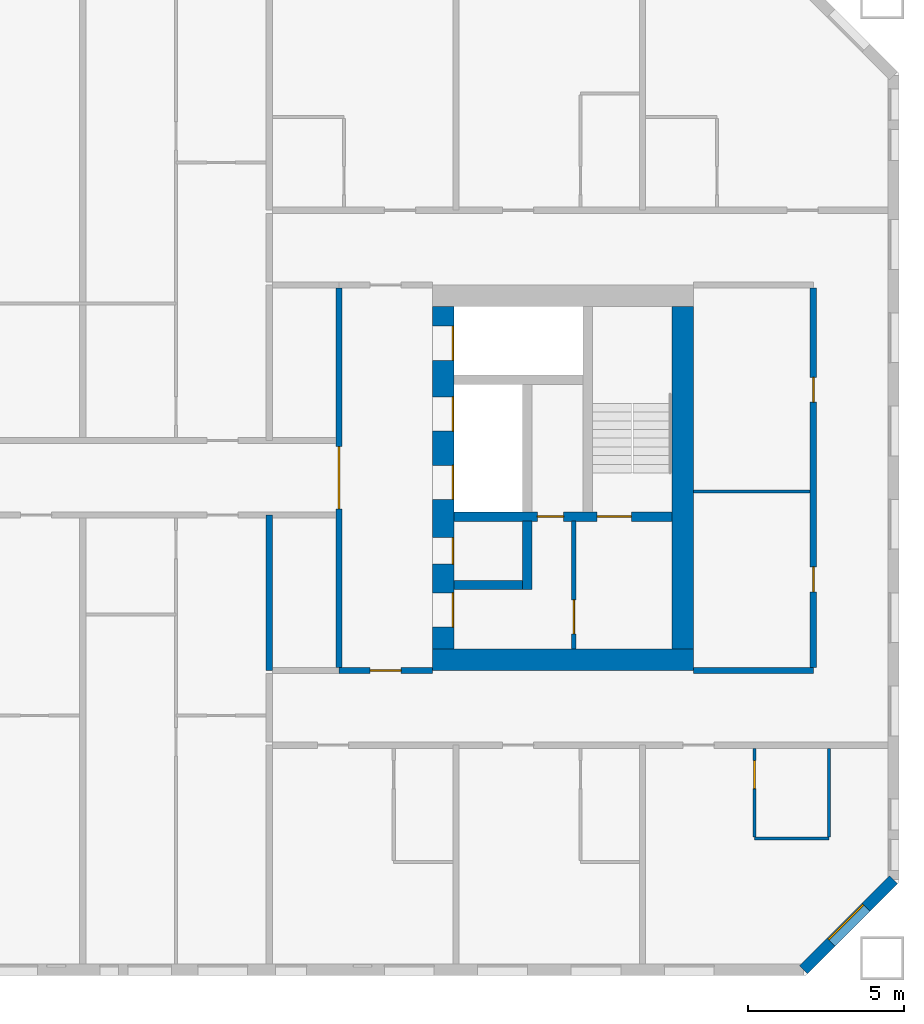
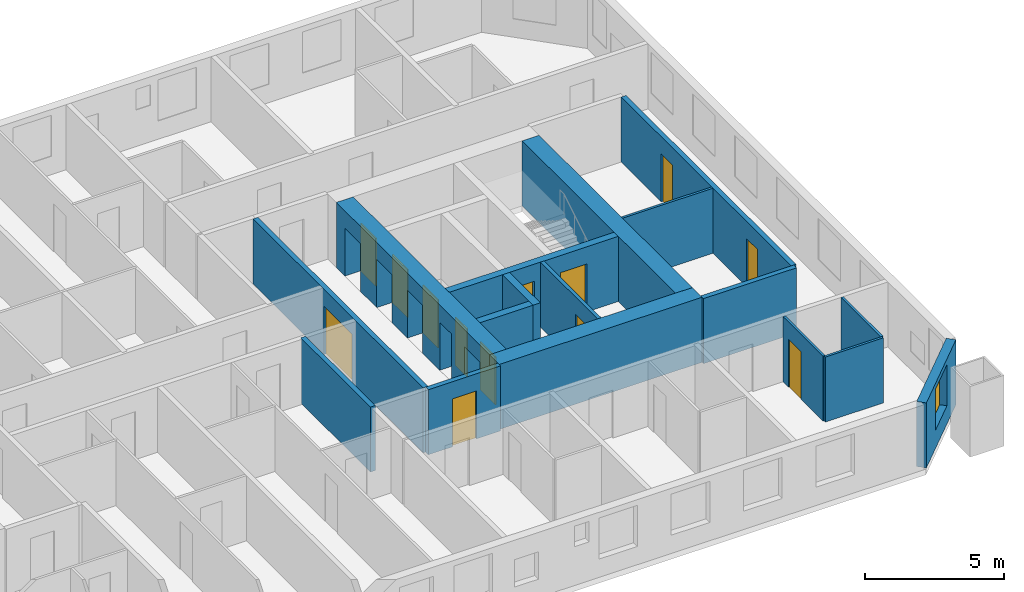
# One storey, part 12 of 17: 17 walls, 13 doors, 1 window, 14 openings.
"""IFC4 building model written with IfcOpenShell, lengths in metres."""

from ifc_helpers import new_model, si_unit, direction, frame, frame_2d, origin, place, context, subcontext, project, spatial, rectangle, extrude, material, layer, layer_set, type_object, element, fill, save


model = new_model("IFC4")

# Units and contexts
model_context = context("Model", 3, precision=1e-05, world=origin(), true_north=direction((0.0, 1.0)))
body_context = subcontext(model_context, "Body", "Model", "MODEL_VIEW")
ifc_project = project(units=[si_unit("LENGTHUNIT", "METRE"), si_unit("AREAUNIT", "SQUARE_METRE"), si_unit("VOLUMEUNIT", "CUBIC_METRE"), si_unit("PLANEANGLEUNIT", "RADIAN"), si_unit("MASSUNIT", "GRAM", prefix="KILO")], contexts=[model_context])

# Site, building, storey
site_placement = place(None, origin())
site = spatial("IfcSite", under=ifc_project, at=site_placement, CompositionType="ELEMENT")
building_placement = place(site_placement, origin())
building = spatial("IfcBuilding", under=site, at=building_placement, Name="Tuart Gate Housing", CompositionType="ELEMENT")
storey_placement = place(building_placement, frame((0.0, 0.0, 84.0)))
storey = spatial("IfcBuildingStorey", under=building, at=storey_placement, Name="L23", CompositionType="ELEMENT", Elevation=84.0)

# Wall, opening, window
ifc_material_1 = material(Name="Brick", Category="masonry")
ifc_layer_1 = layer(ifc_material_1, 0.360107421875)
ifc_layer_set_1 = layer_set([ifc_layer_1], Name="Brick pier and spandrel wall 360")
wall_type_1 = type_object("IfcWallType", Name="Brick pier and spandrel wall 360", PredefinedType="STANDARD", material=ifc_layer_set_1)
wall_1_placement = place(storey_placement, frame((172.17529296875, 54.179931640625, 0.0), z_axis=(0.0, 0.0, 1.0), x_axis=(0.707106781187, 0.707106781187, 0.0)))
wall_1 = element("IfcWall", 1, at=wall_1_placement, inside=storey, type_object=wall_type_1, Name="External wall B-SE L23", PredefinedType="STANDARD", context=body_context, shape_type="SweptSolid", body=[
    extrude(rectangle(XDim=4.09375, YDim=0.360107421875, at=frame_2d((2.046875, 0.0))), origin(), (0.0, 0.0, 1.0), 2.85009765625),
])
opening_1_placement = place(wall_1_placement, frame((1.2470703125, 0.0, 0.800048828125)))
opening_1 = element("IfcOpeningElement", 2, at=opening_1_placement, cuts=wall_1, Name="Opening W1", PredefinedType="OPENING", context=body_context, shape_type="SweptSolid", body=[
    extrude(rectangle(XDim=1.60009765625, YDim=1.800048828125, at=frame_2d((0.800048828125, 0.89990234375))), frame((0.0, 0.18994140625, 0.0), z_axis=(0.0, -1.0, 0.0), x_axis=(1.0, 0.0, 0.0)), (0.0, 0.0, 1.0), 0.380126953125),
])
ifc_material_2 = material(Name="Aluminium frame with clear glass", Category="aluminium")
window_type = type_object("IfcWindowType", Name="Punched window 1600 x 1800", PartitioningType="SINGLE_PANEL", PredefinedType="WINDOW", material=ifc_material_2)
window_placement = place(opening_1_placement, origin())
window = element("IfcWindow", 3, at=window_placement, inside=storey, type_object=window_type, Name="Window W1", OverallHeight=1.800048828125, OverallWidth=1.60009765625, PartitioningType="SINGLE_PANEL", PredefinedType="WINDOW", context=body_context, shape_type="SweptSolid", body=[
    extrude(rectangle(XDim=1.60009765625, YDim=1.800048828125, at=frame_2d((0.800048828125, 0.89990234375))), frame((0.0, 0.150146484375, 0.0), z_axis=(0.0, -1.0, 0.0), x_axis=(1.0, 0.0, 0.0)), (0.0, 0.0, 1.0), 0.06005859375),
])
fill(opening_1, window)

# Wall, opening, door
ifc_material_3 = material(Name="Plasterboard partition")
ifc_layer_2 = layer(ifc_material_3, 0.14990234375)
ifc_layer_set_2 = layer_set([ifc_layer_2], Name="Core partition 150")
wall_type_2 = type_object("IfcWallType", Name="Core partition 150", PredefinedType="PARTITIONING", material=ifc_layer_set_2)
wall_2_placement = place(storey_placement, frame((164.7900390625, 68.60009765625, 0.0), z_axis=(0.0, 0.0, 1.0), x_axis=(0.0, -1.0, 0.0)))
wall_2 = element("IfcWall", 4, at=wall_2_placement, inside=storey, type_object=wall_type_2, Name="Core partition BK.6", PredefinedType="PARTITIONING", context=body_context, shape_type="SweptSolid", body=[
    extrude(rectangle(XDim=4.10009765625, YDim=0.14990234375, at=frame_2d((2.050048828125, 0.0))), origin(), (0.0, 0.0, 1.0), 2.85009765625),
])
opening_2_placement = place(wall_2_placement, frame((2.52490234375, 0.0, 0.0)))
opening_2 = element("IfcOpeningElement", 5, at=opening_2_placement, cuts=wall_2, Name="Opening D1047", PredefinedType="OPENING", context=body_context, shape_type="SweptSolid", body=[
    extrude(rectangle(XDim=1.10009765625, YDim=2.10009765625, at=frame_2d((0.550048828125, 1.050048828125))), frame((0.0, 0.0849609375, 0.0), z_axis=(0.0, -1.0, 0.0), x_axis=(1.0, 0.0, 0.0)), (0.0, 0.0, 1.0), 0.169921875),
])
ifc_material_4 = material(Name="Steel fire door", Category="steel")
door_type_1 = type_object("IfcDoorType", Name="Lobby door 1100 x 2100 RH", OperationType="SINGLE_SWING_RIGHT", PredefinedType="DOOR", material=ifc_material_4)
door_1_placement = place(opening_2_placement, origin())
door_1 = element("IfcDoor", 6, at=door_1_placement, inside=storey, type_object=door_type_1, Name="Smoke lobby door BK.KD", OperationType="SINGLE_SWING_RIGHT", OverallHeight=2.10009765625, OverallWidth=1.10009765625, PredefinedType="DOOR", context=body_context, shape_type="SweptSolid", body=[
    extrude(rectangle(XDim=1.10009765625, YDim=2.10009765625, at=frame_2d((0.550048828125, 1.050048828125))), frame((0.0, 0.02490234375, 0.0), z_axis=(0.0, -1.0, 0.0), x_axis=(1.0, 0.0, 0.0)), (0.0, 0.0, 1.0), 0.050048828125),
])
fill(opening_2, door_1)

# Wall, openings, doors
ifc_material_5 = material(Name="Concrete C50", Category="concrete")
ifc_layer_3 = layer(ifc_material_5, 0.300048828125)
ifc_layer_set_3 = layer_set([ifc_layer_3], Name="Core wall 300 C50")
wall_type_3 = type_object("IfcWallType", Name="Core wall 300 C50", PredefinedType="SHEAR", material=ifc_layer_set_3)
wall_3_placement = place(storey_placement, frame((160.93994140625, 68.75, 0.0), z_axis=(0.0, 0.0, 1.0), x_axis=(1.0, 0.0, 0.0)))
wall_3 = element("IfcWall", 7, at=wall_3_placement, inside=storey, type_object=wall_type_3, Name="Core wall BK.2", PredefinedType="SHEAR", context=body_context, shape_type="SweptSolid", body=[
    extrude(rectangle(XDim=7.0, YDim=0.300048828125, at=frame_2d((3.5, 0.0))), origin(), (0.0, 0.0, 1.0), 2.85009765625),
])
opening_3_placement = place(wall_3_placement, frame((4.60009765625, 0.0, 0.0)))
opening_3 = element("IfcOpeningElement", 8, at=opening_3_placement, cuts=wall_3, Name="Opening D1046", PredefinedType="OPENING", context=body_context, shape_type="SweptSolid", body=[
    extrude(rectangle(XDim=1.10009765625, YDim=2.10009765625, at=frame_2d((0.550048828125, 1.050048828125))), frame((0.0, 0.159912109375, 0.0), z_axis=(0.0, -1.0, 0.0), x_axis=(1.0, 0.0, 0.0)), (0.0, 0.0, 1.0), 0.320068359375),
])
opening_4_placement = place(wall_3_placement, frame((2.675048828125, 0.0, 0.0)))
opening_4 = element("IfcOpeningElement", 9, at=opening_4_placement, cuts=wall_3, Name="Opening D1045", PredefinedType="OPENING", context=body_context, shape_type="SweptSolid", body=[
    extrude(rectangle(XDim=0.85009765625, YDim=2.10009765625, at=frame_2d((0.425048828125, 1.050048828125))), frame((0.0, 0.159912109375, 0.0), z_axis=(0.0, -1.0, 0.0), x_axis=(1.0, 0.0, 0.0)), (0.0, 0.0, 1.0), 0.320068359375),
])
ifc_material_6 = material(Name="Steel fire door", Category="steel")
door_type_2 = type_object("IfcDoorType", Name="Riser door 850 x 2100", OperationType="SINGLE_SWING_LEFT", PredefinedType="DOOR", material=ifc_material_6)
door_2_placement = place(opening_4_placement, origin())
door_2 = element("IfcDoor", 10, at=door_2_placement, inside=storey, type_object=door_type_2, Name="Service room door BK.W1", OperationType="SINGLE_SWING_LEFT", OverallHeight=2.10009765625, OverallWidth=0.85009765625, PredefinedType="DOOR", context=body_context, shape_type="SweptSolid", body=[
    extrude(rectangle(XDim=0.85009765625, YDim=2.10009765625, at=frame_2d((0.425048828125, 1.050048828125))), frame((0.0, 0.02490234375, 0.0), z_axis=(0.0, -1.0, 0.0), x_axis=(1.0, 0.0, 0.0)), (0.0, 0.0, 1.0), 0.050048828125),
])
fill(opening_4, door_2)
ifc_material_7 = material(Name="Steel fire door", Category="steel")
door_type_3 = type_object("IfcDoorType", Name="Stair door 1100 x 2100", OperationType="SINGLE_SWING_LEFT", PredefinedType="DOOR", material=ifc_material_7)
door_3_placement = place(opening_3_placement, origin())
door_3 = element("IfcDoor", 11, at=door_3_placement, inside=storey, type_object=door_type_3, Name="Stair door BK.SD", OperationType="SINGLE_SWING_LEFT", OverallHeight=2.10009765625, OverallWidth=1.10009765625, PredefinedType="DOOR", context=body_context, shape_type="SweptSolid", body=[
    extrude(rectangle(XDim=1.10009765625, YDim=2.10009765625, at=frame_2d((0.550048828125, 1.050048828125))), frame((0.0, 0.02490234375, 0.0), z_axis=(0.0, -1.0, 0.0), x_axis=(1.0, 0.0, 0.0)), (0.0, 0.0, 1.0), 0.050048828125),
])
fill(opening_3, door_3)

# Walls
wall_4_placement = place(storey_placement, frame((160.93994140625, 66.550048828125, 0.0), z_axis=(0.0, 0.0, 1.0), x_axis=(1.0, 0.0, 0.0)))
element("IfcWall", 12, at=wall_4_placement, inside=storey, type_object=wall_type_3, Name="Core wall BK.3", PredefinedType="SHEAR", context=body_context, shape_type="SweptSolid", body=[
    extrude(rectangle(XDim=2.199951171875, YDim=0.300048828125, at=frame_2d((1.10009765625, 0.0))), origin(), (0.0, 0.0, 1.0), 2.85009765625),
])
wall_5_placement = place(storey_placement, frame((163.2900390625, 68.60009765625, 0.0), z_axis=(0.0, 0.0, 1.0), x_axis=(0.0, -1.0, 0.0)))
element("IfcWall", 13, at=wall_5_placement, inside=storey, type_object=wall_type_3, Name="Core wall BK.5", PredefinedType="SHEAR", context=body_context, shape_type="SweptSolid", body=[
    extrude(rectangle(XDim=2.2001953125, YDim=0.300048828125, at=frame_2d((1.10009765625, 0.0))), origin(), (0.0, 0.0, 1.0), 2.85009765625),
])

# Wall, openings, doors
ifc_material_8 = material(Name="Concrete C50", Category="concrete")
ifc_layer_4 = layer(ifc_material_8, 0.699951171875)
ifc_layer_set_4 = layer_set([ifc_layer_4], Name="Core wall 700 C50")
wall_type_4 = type_object("IfcWallType", Name="Core wall 700 C50", PredefinedType="SHEAR", material=ifc_layer_set_4)
wall_6_placement = place(storey_placement, frame((160.590087890625, 75.5, 0.0), z_axis=(0.0, 0.0, 1.0), x_axis=(0.0, -1.0, 0.0)))
wall_6 = element("IfcWall", 14, at=wall_6_placement, inside=storey, type_object=wall_type_4, Name="Core wall BK front", PredefinedType="SHEAR", context=body_context, shape_type="SweptSolid", body=[
    extrude(rectangle(XDim=11.0, YDim=0.699951171875, at=frame_2d((5.5, 0.0))), origin(), (0.0, 0.0, 1.0), 2.85009765625),
])
opening_5_placement = place(wall_6_placement, frame((0.625, 0.0, 0.0)))
opening_5 = element("IfcOpeningElement", 15, at=opening_5_placement, cuts=wall_6, Name="Opening LD-FB2", PredefinedType="OPENING", context=body_context, shape_type="SweptSolid", body=[
    extrude(rectangle(XDim=1.10009765625, YDim=2.10009765625, at=frame_2d((0.550048828125, 1.050048828125))), frame((0.0, 0.35986328125, 0.0), z_axis=(0.0, -1.0, 0.0), x_axis=(1.0, 0.0, 0.0)), (0.0, 0.0, 1.0), 0.719970703125),
])
opening_6_placement = place(wall_6_placement, frame((2.89990234375, 0.0, 0.0)))
opening_6 = element("IfcOpeningElement", 16, at=opening_6_placement, cuts=wall_6, Name="Opening LD-LB3", PredefinedType="OPENING", context=body_context, shape_type="SweptSolid", body=[
    extrude(rectangle(XDim=1.10009765625, YDim=2.10009765625, at=frame_2d((0.550048828125, 1.050048828125))), frame((0.0, 0.35986328125, 0.0), z_axis=(0.0, -1.0, 0.0), x_axis=(1.0, 0.0, 0.0)), (0.0, 0.0, 1.0), 0.719970703125),
])
opening_7_placement = place(wall_6_placement, frame((5.10009765625, 0.0, 0.0)))
opening_7 = element("IfcOpeningElement", 17, at=opening_7_placement, cuts=wall_6, Name="Opening LD-LB4", PredefinedType="OPENING", context=body_context, shape_type="SweptSolid", body=[
    extrude(rectangle(XDim=1.10009765625, YDim=2.10009765625, at=frame_2d((0.550048828125, 1.050048828125))), frame((0.0, 0.35986328125, 0.0), z_axis=(0.0, -1.0, 0.0), x_axis=(1.0, 0.0, 0.0)), (0.0, 0.0, 1.0), 0.719970703125),
])
opening_8_placement = place(wall_6_placement, frame((9.199951171875, 0.0, 0.0)))
opening_8 = element("IfcOpeningElement", 18, at=opening_8_placement, cuts=wall_6, Name="Opening D1039", PredefinedType="OPENING", context=body_context, shape_type="SweptSolid", body=[
    extrude(rectangle(XDim=1.10009765625, YDim=2.10009765625, at=frame_2d((0.550048828125, 1.050048828125))), frame((0.0, 0.35986328125, 0.0), z_axis=(0.0, -1.0, 0.0), x_axis=(1.0, 0.0, 0.0)), (0.0, 0.0, 1.0), 0.719970703125),
])
opening_9_placement = place(wall_6_placement, frame((7.425048828125, 0.0, 0.0)))
opening_9 = element("IfcOpeningElement", 19, at=opening_9_placement, cuts=wall_6, Name="Opening D1040", PredefinedType="OPENING", context=body_context, shape_type="SweptSolid", body=[
    extrude(rectangle(XDim=0.85009765625, YDim=2.10009765625, at=frame_2d((0.425048828125, 1.050048828125))), frame((0.0, 0.35986328125, 0.0), z_axis=(0.0, -1.0, 0.0), x_axis=(1.0, 0.0, 0.0)), (0.0, 0.0, 1.0), 0.719970703125),
])
ifc_material_9 = material(Name="Stainless steel", Category="steel")
door_type_4 = type_object("IfcDoorType", Name="Landing door 1100 x 2100", OperationType="DOUBLE_DOOR_SLIDING", PredefinedType="DOOR", material=ifc_material_9)
door_4_placement = place(opening_5_placement, origin())
door_4 = element("IfcDoor", 20, at=door_4_placement, inside=storey, type_object=door_type_4, Name="Lift landing door FB2", OperationType="DOUBLE_DOOR_SLIDING", OverallHeight=2.10009765625, OverallWidth=1.10009765625, PredefinedType="DOOR", context=body_context, shape_type="SweptSolid", body=[
    extrude(rectangle(XDim=1.10009765625, YDim=2.10009765625, at=frame_2d((0.550048828125, 1.050048828125))), frame((0.0, 0.3349609375, 0.0), z_axis=(0.0, -1.0, 0.0), x_axis=(1.0, 0.0, 0.0)), (0.0, 0.0, 1.0), 0.050048828125),
])
fill(opening_5, door_4)
door_5_placement = place(opening_6_placement, origin())
door_5 = element("IfcDoor", 21, at=door_5_placement, inside=storey, type_object=door_type_4, Name="Lift landing door LB3", OperationType="DOUBLE_DOOR_SLIDING", OverallHeight=2.10009765625, OverallWidth=1.10009765625, PredefinedType="DOOR", context=body_context, shape_type="SweptSolid", body=[
    extrude(rectangle(XDim=1.10009765625, YDim=2.10009765625, at=frame_2d((0.550048828125, 1.050048828125))), frame((0.0, 0.3349609375, 0.0), z_axis=(0.0, -1.0, 0.0), x_axis=(1.0, 0.0, 0.0)), (0.0, 0.0, 1.0), 0.050048828125),
])
fill(opening_6, door_5)
door_6_placement = place(opening_7_placement, origin())
door_6 = element("IfcDoor", 22, at=door_6_placement, inside=storey, type_object=door_type_4, Name="Lift landing door LB4", OperationType="DOUBLE_DOOR_SLIDING", OverallHeight=2.10009765625, OverallWidth=1.10009765625, PredefinedType="DOOR", context=body_context, shape_type="SweptSolid", body=[
    extrude(rectangle(XDim=1.10009765625, YDim=2.10009765625, at=frame_2d((0.550048828125, 1.050048828125))), frame((0.0, 0.3349609375, 0.0), z_axis=(0.0, -1.0, 0.0), x_axis=(1.0, 0.0, 0.0)), (0.0, 0.0, 1.0), 0.050048828125),
])
fill(opening_7, door_6)
ifc_material_10 = material(Name="Steel fire door", Category="steel")
door_type_5 = type_object("IfcDoorType", Name="Lobby door 1100 x 2100", OperationType="SINGLE_SWING_LEFT", PredefinedType="DOOR", material=ifc_material_10)
door_7_placement = place(opening_8_placement, origin())
door_7 = element("IfcDoor", 23, at=door_7_placement, inside=storey, type_object=door_type_5, Name="Lobby entry door BK.EN", OperationType="SINGLE_SWING_LEFT", OverallHeight=2.10009765625, OverallWidth=1.10009765625, PredefinedType="DOOR", context=body_context, shape_type="SweptSolid", body=[
    extrude(rectangle(XDim=1.10009765625, YDim=2.10009765625, at=frame_2d((0.550048828125, 1.050048828125))), frame((0.0, 0.3349609375, 0.0), z_axis=(0.0, -1.0, 0.0), x_axis=(1.0, 0.0, 0.0)), (0.0, 0.0, 1.0), 0.050048828125),
])
fill(opening_8, door_7)
ifc_material_11 = material(Name="Steel fire door", Category="steel")
door_type_6 = type_object("IfcDoorType", Name="Service door 850 x 2100", OperationType="SINGLE_SWING_LEFT", PredefinedType="DOOR", material=ifc_material_11)
door_8_placement = place(opening_9_placement, origin())
door_8 = element("IfcDoor", 24, at=door_8_placement, inside=storey, type_object=door_type_6, Name="Service room door BK.T1", OperationType="SINGLE_SWING_LEFT", OverallHeight=2.10009765625, OverallWidth=0.85009765625, PredefinedType="DOOR", context=body_context, shape_type="SweptSolid", body=[
    extrude(rectangle(XDim=0.85009765625, YDim=2.10009765625, at=frame_2d((0.425048828125, 1.050048828125))), frame((0.0, 0.3349609375, 0.0), z_axis=(0.0, -1.0, 0.0), x_axis=(1.0, 0.0, 0.0)), (0.0, 0.0, 1.0), 0.050048828125),
])
fill(opening_9, door_8)

# Walls
wall_7_placement = place(storey_placement, frame((168.2900390625, 75.5, 0.0), z_axis=(0.0, 0.0, 1.0), x_axis=(0.0, -1.0, 0.0)))
element("IfcWall", 25, at=wall_7_placement, inside=storey, type_object=wall_type_4, Name="Core wall BK back", PredefinedType="SHEAR", context=body_context, shape_type="SweptSolid", body=[
    extrude(rectangle(XDim=11.0, YDim=0.699951171875, at=frame_2d((5.5, 0.0))), origin(), (0.0, 0.0, 1.0), 2.85009765625),
])
wall_8_placement = place(storey_placement, frame((160.239990234375, 64.14990234375, 0.0), z_axis=(0.0, 0.0, 1.0), x_axis=(1.0, 0.0, 0.0)))
element("IfcWall", 26, at=wall_8_placement, inside=storey, type_object=wall_type_4, Name="Core wall BK north", PredefinedType="SHEAR", context=body_context, shape_type="SweptSolid", body=[
    extrude(rectangle(XDim=8.39990234375, YDim=0.699951171875, at=frame_2d((4.199951171875, 0.0))), origin(), (0.0, 0.0, 1.0), 2.85009765625),
])
ifc_material_12 = material(Name="Concrete masonry 15 MPa", Category="masonry")
ifc_layer_5 = layer(ifc_material_12, 0.199951171875)
ifc_layer_set_5 = layer_set([ifc_layer_5], Name="Corridor wall masonry 200")
wall_type_5 = type_object("IfcWallType", Name="Corridor wall masonry 200", PredefinedType="PARTITIONING", material=ifc_layer_set_5)
wall_9_placement = place(storey_placement, frame((168.639892578125, 63.800048828125, 0.0), z_axis=(0.0, 0.0, 1.0), x_axis=(1.0, 0.0, 0.0)))
element("IfcWall", 27, at=wall_9_placement, inside=storey, type_object=wall_type_5, Name="Corridor wall masonry 200", PredefinedType="PARTITIONING", context=body_context, shape_type="SweptSolid", body=[
    extrude(rectangle(XDim=3.85009765625, YDim=0.199951171875, at=frame_2d((1.925048828125, 0.0))), origin(), (0.0, 0.0, 1.0), 2.85009765625),
])

# Wall, openings, doors
wall_10_placement = place(storey_placement, frame((172.489990234375, 63.89990234375, 0.0), z_axis=(0.0, 0.0, 1.0), x_axis=(0.0, 1.0, 0.0)))
wall_10 = element("IfcWall", 28, at=wall_10_placement, inside=storey, type_object=wall_type_5, Name="Corridor wall masonry 200", PredefinedType="PARTITIONING", context=body_context, shape_type="SweptSolid", body=[
    extrude(rectangle(XDim=12.2001953125, YDim=0.199951171875, at=frame_2d((6.10009765625, 0.0))), origin(), (0.0, 0.0, 1.0), 2.85009765625),
])
opening_10_placement = place(wall_10_placement, frame((2.429931640625, 0.0, 0.0)))
opening_10 = element("IfcOpeningElement", 29, at=opening_10_placement, cuts=wall_10, Name="Opening D1041", PredefinedType="OPENING", context=body_context, shape_type="SweptSolid", body=[
    extrude(rectangle(XDim=0.800048828125, YDim=2.10009765625, at=frame_2d((0.39990234375, 1.050048828125))), frame((0.0, 0.10986328125, 0.0), z_axis=(0.0, -1.0, 0.0), x_axis=(1.0, 0.0, 0.0)), (0.0, 0.0, 1.0), 0.219970703125),
])
opening_11_placement = place(wall_10_placement, frame((8.530029296875, 0.0, 0.0)))
opening_11 = element("IfcOpeningElement", 30, at=opening_11_placement, cuts=wall_10, Name="Opening D1042", PredefinedType="OPENING", context=body_context, shape_type="SweptSolid", body=[
    extrude(rectangle(XDim=0.800048828125, YDim=2.10009765625, at=frame_2d((0.39990234375, 1.050048828125))), frame((0.0, 0.10986328125, 0.0), z_axis=(0.0, -1.0, 0.0), x_axis=(1.0, 0.0, 0.0)), (0.0, 0.0, 1.0), 0.219970703125),
])
ifc_material_13 = material(Name="Timber door leaf in steel frame", Category="steel")
door_type_7 = type_object("IfcDoorType", Name="Store door 800", OperationType="SINGLE_SWING_LEFT", PredefinedType="DOOR", material=ifc_material_13)
door_9_placement = place(opening_11_placement, origin())
door_9 = element("IfcDoor", 31, at=door_9_placement, inside=storey, type_object=door_type_7, Name="Store door", OperationType="SINGLE_SWING_LEFT", OverallHeight=2.10009765625, OverallWidth=0.800048828125, PredefinedType="DOOR", context=body_context, shape_type="SweptSolid", body=[
    extrude(rectangle(XDim=0.800048828125, YDim=2.10009765625, at=frame_2d((0.39990234375, 1.050048828125))), frame((0.0, 0.02490234375, 0.0), z_axis=(0.0, -1.0, 0.0), x_axis=(1.0, 0.0, 0.0)), (0.0, 0.0, 1.0), 0.050048828125),
])
fill(opening_11, door_9)
ifc_material_14 = material(Name="Timber door leaf in steel frame", Category="steel")
door_type_8 = type_object("IfcDoorType", Name="Store door 800 RH", OperationType="SINGLE_SWING_RIGHT", PredefinedType="DOOR", material=ifc_material_14)
door_10_placement = place(opening_10_placement, origin())
door_10 = element("IfcDoor", 32, at=door_10_placement, inside=storey, type_object=door_type_8, Name="Store door", OperationType="SINGLE_SWING_RIGHT", OverallHeight=2.10009765625, OverallWidth=0.800048828125, PredefinedType="DOOR", context=body_context, shape_type="SweptSolid", body=[
    extrude(rectangle(XDim=0.800048828125, YDim=2.10009765625, at=frame_2d((0.39990234375, 1.050048828125))), frame((0.0, 0.02490234375, 0.0), z_axis=(0.0, -1.0, 0.0), x_axis=(1.0, 0.0, 0.0)), (0.0, 0.0, 1.0), 0.050048828125),
])
fill(opening_10, door_10)

# Wall, opening, door
ifc_material_15 = material(Name="Concrete masonry 15 MPa", Category="masonry")
ifc_layer_6 = layer(ifc_material_15, 0.199951171875)
ifc_layer_set_6 = layer_set([ifc_layer_6], Name="Enclosure wall masonry 200")
wall_type_6 = type_object("IfcWallType", Name="Enclosure wall masonry 200", PredefinedType="PARTITIONING", material=ifc_layer_set_6)
wall_11_placement = place(storey_placement, frame((157.239990234375, 63.800048828125, 0.0), z_axis=(0.0, 0.0, 1.0), x_axis=(1.0, 0.0, 0.0)))
wall_11 = element("IfcWall", 33, at=wall_11_placement, inside=storey, type_object=wall_type_6, Name="Enclosure wall masonry 200", PredefinedType="PARTITIONING", context=body_context, shape_type="SweptSolid", body=[
    extrude(rectangle(XDim=3.0, YDim=0.199951171875, at=frame_2d((1.5, 0.0))), origin(), (0.0, 0.0, 1.0), 2.85009765625),
])
opening_12_placement = place(wall_11_placement, frame((1.0, 0.0, 0.0)))
opening_12 = element("IfcOpeningElement", 34, at=opening_12_placement, cuts=wall_11, Name="Opening D1049", PredefinedType="OPENING", context=body_context, shape_type="SweptSolid", body=[
    extrude(rectangle(XDim=1.0, YDim=2.10009765625, at=frame_2d((0.5, 1.050048828125))), frame((0.0, 0.10986328125, 0.0), z_axis=(0.0, -1.0, 0.0), x_axis=(1.0, 0.0, 0.0)), (0.0, 0.0, 1.0), 0.219970703125),
])
ifc_material_16 = material(Name="Timber door leaf in steel frame", Category="steel")
door_type_9 = type_object("IfcDoorType", Name="Fire door 1000 RH", OperationType="SINGLE_SWING_RIGHT", PredefinedType="DOOR", material=ifc_material_16)
door_11_placement = place(opening_12_placement, frame((1.0, 0.0, 0.0), z_axis=(0.0, 0.0, 1.0), x_axis=(-1.0, 0.0, 0.0)))
door_11 = element("IfcDoor", 35, at=door_11_placement, inside=storey, type_object=door_type_9, Name="Fire door", OperationType="SINGLE_SWING_RIGHT", OverallHeight=2.10009765625, OverallWidth=1.0, PredefinedType="DOOR", context=body_context, shape_type="SweptSolid", body=[
    extrude(rectangle(XDim=1.0, YDim=2.10009765625, at=frame_2d((0.5, 1.050048828125))), frame((0.0, 0.025146484375, 0.0), z_axis=(0.0, -1.0, 0.0), x_axis=(1.0, 0.0, 0.0)), (0.0, 0.0, 1.0), 0.050048828125),
])
fill(opening_12, door_11)

ifc_material_17 = material(Name="Plasterboard partition")
ifc_layer_7 = layer(ifc_material_17, 0.199951171875)
ifc_layer_set_7 = layer_set([ifc_layer_7], Name="Lobby wall 200")
wall_type_7 = type_object("IfcWallType", Name="Lobby wall 200", PredefinedType="PARTITIONING", material=ifc_layer_set_7)
wall_12_placement = place(storey_placement, frame((157.239990234375, 63.89990234375, 0.0), z_axis=(0.0, 0.0, 1.0), x_axis=(0.0, 1.0, 0.0)))
wall_12 = element("IfcWall", 36, at=wall_12_placement, inside=storey, type_object=wall_type_7, Name="Lift lobby wall BK", PredefinedType="PARTITIONING", context=body_context, shape_type="SweptSolid", body=[
    extrude(rectangle(XDim=12.2001953125, YDim=0.199951171875, at=frame_2d((6.10009765625, 0.0))), origin(), (0.0, 0.0, 1.0), 2.85009765625),
])
opening_13_placement = place(wall_12_placement, frame((5.10009765625, 0.0, 0.0)))
opening_13 = element("IfcOpeningElement", 37, at=opening_13_placement, cuts=wall_12, Name="Opening D1038", PredefinedType="OPENING", context=body_context, shape_type="SweptSolid", body=[
    extrude(rectangle(XDim=2.0, YDim=2.10009765625, at=frame_2d((1.0, 1.050048828125))), frame((0.0, 0.10986328125, 0.0), z_axis=(0.0, -1.0, 0.0), x_axis=(1.0, 0.0, 0.0)), (0.0, 0.0, 1.0), 0.219970703125),
])
ifc_material_18 = material(Name="Steel fire door", Category="steel")
door_type_10 = type_object("IfcDoorType", Name="Smoke door 2000 x 2100", OperationType="DOUBLE_DOOR_SINGLE_SWING", PredefinedType="DOOR", material=ifc_material_18)
door_12_placement = place(opening_13_placement, frame((2.0, 0.0, 0.0), z_axis=(0.0, 0.0, 1.0), x_axis=(-1.0, 0.0, 0.0)))
door_12 = element("IfcDoor", 38, at=door_12_placement, inside=storey, type_object=door_type_10, Name="Lift lobby smoke door BK", OperationType="DOUBLE_DOOR_SINGLE_SWING", OverallHeight=2.10009765625, OverallWidth=2.0, PredefinedType="DOOR", context=body_context, shape_type="SweptSolid", body=[
    extrude(rectangle(XDim=2.0, YDim=2.10009765625, at=frame_2d((1.0, 1.050048828125))), frame((0.0, 0.025146484375, 0.0), z_axis=(0.0, -1.0, 0.0), x_axis=(1.0, 0.0, 0.0)), (0.0, 0.0, 1.0), 0.050048828125),
])
fill(opening_13, door_12)

# Walls
ifc_material_19 = material(Name="Gypsum board on steel studs", Category="steel")
ifc_layer_8 = layer(ifc_material_19, 0.10009765625)
ifc_layer_set_8 = layer_set([ifc_layer_8], Name="Partition 100")
wall_type_8 = type_object("IfcWallType", Name="Partition 100", PredefinedType="PARTITIONING", material=ifc_layer_set_8)
wall_13_placement = place(storey_placement, frame((170.60009765625, 58.39990234375, 0.0), z_axis=(0.0, 0.0, 1.0), x_axis=(1.0, 0.0, 0.0)))
element("IfcWall", 39, at=wall_13_placement, inside=storey, type_object=wall_type_8, Name="Partition 100", PredefinedType="PARTITIONING", context=body_context, shape_type="SweptSolid", body=[
    extrude(rectangle(XDim=2.39990234375, YDim=0.10009765625, at=frame_2d((1.199951171875, 0.0))), origin(), (0.0, 0.0, 1.0), 2.85009765625),
])
wall_14_placement = place(storey_placement, frame((168.639892578125, 69.56005859375, 0.0), z_axis=(0.0, 0.0, 1.0), x_axis=(1.0, 0.0, 0.0)))
element("IfcWall", 40, at=wall_14_placement, inside=storey, type_object=wall_type_8, Name="Partition 100", PredefinedType="PARTITIONING", context=body_context, shape_type="SweptSolid", body=[
    extrude(rectangle(XDim=3.75, YDim=0.10009765625, at=frame_2d((1.875, 0.0))), origin(), (0.0, 0.0, 1.0), 2.85009765625),
])

# Wall, opening, door
wall_15_placement = place(storey_placement, frame((170.60009765625, 58.449951171875, 0.0), z_axis=(0.0, 0.0, 1.0), x_axis=(0.0, 1.0, 0.0)))
wall_15 = element("IfcWall", 41, at=wall_15_placement, inside=storey, type_object=wall_type_8, Name="Partition 100", PredefinedType="PARTITIONING", context=body_context, shape_type="SweptSolid", body=[
    extrude(rectangle(XDim=2.85009765625, YDim=0.10009765625, at=frame_2d((1.425048828125, 0.0))), origin(), (0.0, 0.0, 1.0), 2.85009765625),
])
opening_14_placement = place(wall_15_placement, frame((1.550048828125, 0.0, 0.0)))
opening_14 = element("IfcOpeningElement", 42, at=opening_14_placement, cuts=wall_15, Name="Opening D1061", PredefinedType="OPENING", context=body_context, shape_type="SweptSolid", body=[
    extrude(rectangle(XDim=0.89990234375, YDim=2.10009765625, at=frame_2d((0.449951171875, 1.050048828125))), frame((0.0, 0.06005859375, 0.0), z_axis=(0.0, -1.0, 0.0), x_axis=(1.0, 0.0, 0.0)), (0.0, 0.0, 1.0), 0.1201171875),
])
ifc_material_20 = material(Name="Timber door leaf in steel frame", Category="steel")
door_type_11 = type_object("IfcDoorType", Name="Bathroom door 900", OperationType="SINGLE_SWING_LEFT", PredefinedType="DOOR", material=ifc_material_20)
door_13_placement = place(opening_14_placement, frame((0.89990234375, 0.0, 0.0), z_axis=(0.0, 0.0, 1.0), x_axis=(-1.0, 0.0, 0.0)))
door_13 = element("IfcDoor", 43, at=door_13_placement, inside=storey, type_object=door_type_11, Name="Bathroom door", OperationType="SINGLE_SWING_LEFT", OverallHeight=2.10009765625, OverallWidth=0.89990234375, PredefinedType="DOOR", context=body_context, shape_type="SweptSolid", body=[
    extrude(rectangle(XDim=0.89990234375, YDim=2.10009765625, at=frame_2d((0.449951171875, 1.050048828125))), frame((0.0, 0.025146484375, 0.0), z_axis=(0.0, -1.0, 0.0), x_axis=(1.0, 0.0, 0.0)), (0.0, 0.0, 1.0), 0.050048828125),
])
fill(opening_14, door_13)

# Walls
wall_16_placement = place(storey_placement, frame((173.0, 58.449951171875, 0.0), z_axis=(0.0, 0.0, 1.0), x_axis=(0.0, 1.0, 0.0)))
element("IfcWall", 44, at=wall_16_placement, inside=storey, type_object=wall_type_8, Name="Partition 100", PredefinedType="PARTITIONING", context=body_context, shape_type="SweptSolid", body=[
    extrude(rectangle(XDim=2.85009765625, YDim=0.10009765625, at=frame_2d((1.425048828125, 0.0))), origin(), (0.0, 0.0, 1.0), 2.85009765625),
])
ifc_material_21 = material(Name="Concrete C40", Category="concrete")
ifc_layer_9 = layer(ifc_material_21, 0.199951171875)
ifc_layer_set_9 = layer_set([ifc_layer_9], Name="Party wall concrete C40 200")
wall_type_9 = type_object("IfcWallType", Name="Party wall concrete C40 200", PredefinedType="SOLIDWALL", material=ifc_layer_set_9)
wall_17_placement = place(storey_placement, frame((155.0, 63.800048828125, 0.0), z_axis=(0.0, 0.0, 1.0), x_axis=(0.0, 1.0, 0.0)))
element("IfcWall", 45, at=wall_17_placement, inside=storey, type_object=wall_type_9, Name="Party wall concrete C40 200", PredefinedType="SOLIDWALL", context=body_context, shape_type="SweptSolid", body=[
    extrude(rectangle(XDim=5.0, YDim=0.199951171875, at=frame_2d((2.5, 0.0))), origin(), (0.0, 0.0, 1.0), 2.85009765625),
])

save(model, "model.ifc")
